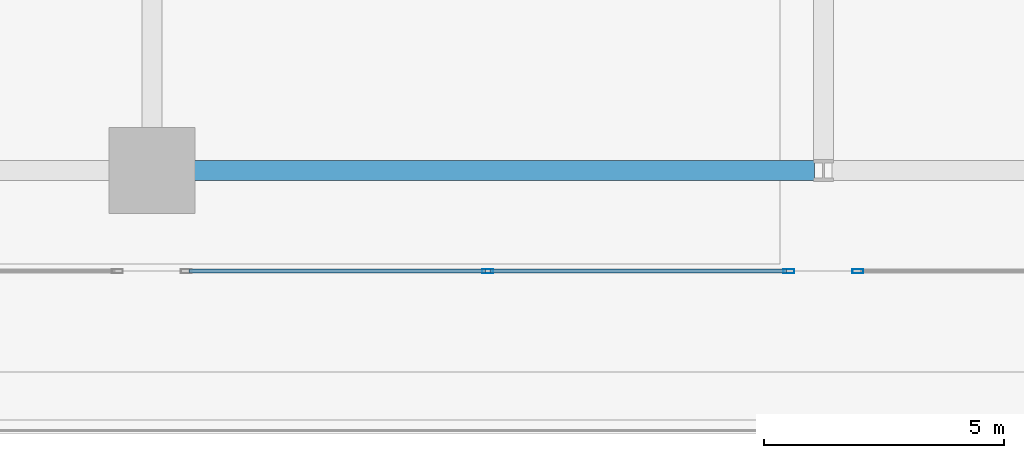
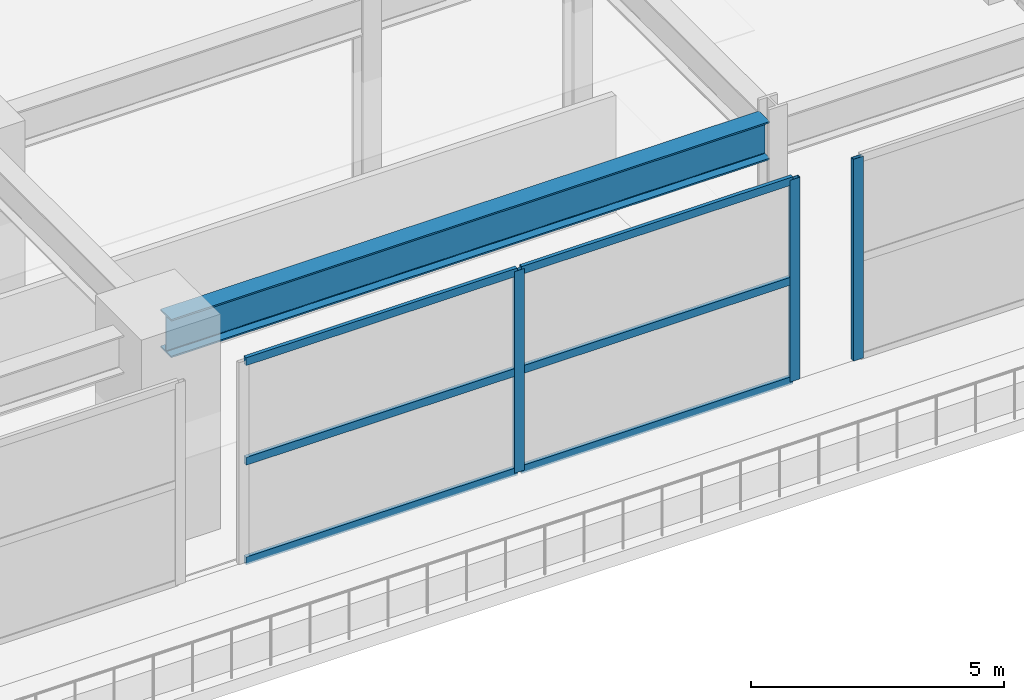
# One storey, part 20 of 35: 9 members, 1 beam, 2 elements without a shape of their own.
"""IFC4 building model written with IfcOpenShell, lengths in metres."""

import ifcopenshell
import ifcopenshell.guid

model = None  # the IFC model being written
_history = None  # IfcOwnerHistory: only IFC2X3 demands one
_inside = {}  # id of a spatial element -> (the spatial element, [elements in it])
_under = {}  # id of a project, library or spatial element -> (it, [spatial elements below it])
_declared = {}  # id of a project -> (the project, [libraries it declares])
_typed = {}  # id of a type object -> (the type object, [elements of that type])
_made_of = {}  # id of a material, layer set ... -> (it, [elements and type objects made of it])


def new_model(schema):
    """Start an empty IFC model of exactly this schema.

    Asked for "IFC4X3", IfcOpenShell would pick the latest addendum, in which some entities
    have other attributes; the version numbers below select the first issue.
    IFC2X3 requires an IfcOwnerHistory on every rooted entity: one is made here for all.
    """
    global model, _history
    if schema == "IFC4X3":
        model = ifcopenshell.file(schema_version=(4, 3, 0, 0))
    else:
        model = ifcopenshell.file(schema=schema)
    _inside.clear()
    _under.clear()
    _declared.clear()
    _typed.clear()
    _made_of.clear()
    _history = None
    if model.schema == "IFC2X3":
        org = make("IfcOrganization", Name="unknown")
        user = make(
            "IfcPersonAndOrganization",
            ThePerson=make("IfcPerson", FamilyName="unknown"),
            TheOrganization=org,
        )
        app = make(
            "IfcApplication",
            ApplicationDeveloper=org,
            Version="unknown",
            ApplicationFullName="unknown",
            ApplicationIdentifier="unknown",
        )
        _history = make(
            "IfcOwnerHistory",
            OwningUser=user,
            OwningApplication=app,
            ChangeAction="ADDED",
            CreationDate=0,
        )
    return model


def make(cls, **values):
    """One entity of the class cls with the attributes given. An attribute that is None is left unset."""
    return model.create_entity(
        cls, **{name: value for name, value in values.items() if value is not None}
    )


def rooted(cls, **values):
    """An entity with a GlobalId (a new one), such as an element, a storey or a relation."""
    return make(cls, GlobalId=ifcopenshell.guid.new(), OwnerHistory=_history, **values)


def si_unit(unit_type, name, prefix=None):
    """IfcSIUnit, for example si_unit("LENGTHUNIT", "METRE", prefix="MILLI")."""
    return make("IfcSIUnit", UnitType=unit_type, Prefix=prefix, Name=name)


def assignment(units):
    """IfcUnitAssignment: the units of a project."""
    return None if units is None else make("IfcUnitAssignment", Units=units)


def point(xyz):
    """IfcCartesianPoint."""
    return None if xyz is None else make("IfcCartesianPoint", Coordinates=xyz)


def direction(xyz):
    """IfcDirection."""
    return None if xyz is None else make("IfcDirection", DirectionRatios=xyz)


def frame(location, z_axis=None, x_axis=None):
    """IfcAxis2Placement3D, a coordinate frame: its origin and axes. An axis left out is left unset."""
    return make(
        "IfcAxis2Placement3D",
        Location=point(location),
        Axis=direction(z_axis),
        RefDirection=direction(x_axis),
    )


def frame_2d(location, x_axis=None):
    """IfcAxis2Placement2D, a coordinate frame in the plane: its origin and x axis."""
    return make(
        "IfcAxis2Placement2D", Location=point(location), RefDirection=direction(x_axis)
    )


def origin():
    """The frame at (0, 0, 0) with its axes left unset."""
    return frame((0.0, 0.0, 0.0))


def origin_2d():
    """The frame at (0, 0) in the plane with its x axis left unset."""
    return frame_2d((0.0, 0.0))


def place(relative_to, where):
    """IfcLocalPlacement: puts the frame where relative to a parent placement (None: the world)."""
    return make(
        "IfcLocalPlacement", PlacementRelTo=relative_to, RelativePlacement=where
    )


def context(
    kind, dimensions, precision=None, world=None, true_north=None, identifier=None
):
    """IfcGeometricRepresentationContext, for example the 3D "Model" context."""
    return make(
        "IfcGeometricRepresentationContext",
        ContextIdentifier=identifier,
        ContextType=kind,
        CoordinateSpaceDimension=dimensions,
        Precision=precision,
        WorldCoordinateSystem=world,
        TrueNorth=true_north,
    )


def subcontext(parent, identifier, kind, view, scale=None):
    """IfcGeometricRepresentationSubContext, for example "Body" below "Model"."""
    return make(
        "IfcGeometricRepresentationSubContext",
        ContextIdentifier=identifier,
        ContextType=kind,
        ParentContext=parent,
        TargetScale=scale,
        TargetView=view,
    )


def project(units=None, contexts=None):
    """IfcProject with its units and contexts."""
    return rooted(
        "IfcProject",
        Name="project",
        RepresentationContexts=contexts,
        UnitsInContext=assignment(units),
    )


def spatial(cls, under=None, at=None, **own):
    """A site, building, storey or space (cls), placed at a placement, below another one or the project."""
    s = rooted(cls, ObjectPlacement=at, **own)
    if under is not None:
        _under.setdefault(under.id(), (under, []))[1].append(s)
    return s


def profile(cls, at=None, kind="AREA", **sizes):
    """A parametric profile (cls). Its sizes go by their IFC names, for example OverallWidth=200.0."""
    return make(cls, ProfileType=kind, Position=at, **sizes)


def hollow_rectangle(**sizes):
    """IfcRectangleHollowProfileDef."""
    return profile("IfcRectangleHollowProfileDef", **sizes)


def i_section(**sizes):
    """IfcIShapeProfileDef."""
    return profile("IfcIShapeProfileDef", **sizes)


def extrude(swept, where, along, depth):
    """IfcExtrudedAreaSolid: the profile swept, set in the frame where, extruded along a direction by depth."""
    return make(
        "IfcExtrudedAreaSolid",
        SweptArea=swept,
        Position=where,
        ExtrudedDirection=direction(along),
        Depth=depth,
    )


def shape(context_of_items, identifier, shape_type, items):
    """IfcShapeRepresentation: the items that make up one representation, for example the "Body"."""
    return make(
        "IfcShapeRepresentation",
        ContextOfItems=context_of_items,
        RepresentationIdentifier=identifier,
        RepresentationType=shape_type,
        Items=items,
    )


def material(Name=None, Category=None):
    """IfcMaterial."""
    return make("IfcMaterial", Name=Name, Category=Category)


def material_profile(
    of_material, cross_section, Name=None, Category=None, Priority=None
):
    """IfcMaterialProfile: a cross section and its material."""
    return make(
        "IfcMaterialProfile",
        Name=Name,
        Material=of_material,
        Profile=cross_section,
        Priority=Priority,
        Category=Category,
    )


def profile_set(profiles, Name=None, composite=None):
    """IfcMaterialProfileSet."""
    return make(
        "IfcMaterialProfileSet",
        Name=Name,
        MaterialProfiles=profiles,
        CompositeProfile=composite,
    )


def made_of(thing, what):
    """Note that an element or type object is made of a material, layer set ...; save() writes the relation."""
    if what is not None:
        _made_of.setdefault(what.id(), (what, []))[1].append(thing)
    return thing


def type_object(cls, material=None, **own):
    """A type object (cls), such as IfcWallType, which elements share."""
    return made_of(rooted(cls, **own), material)


def element(
    cls,
    number,
    at=None,
    inside=None,
    cuts=None,
    type_object=None,
    material=None,
    context=None,
    identifier="Body",
    shape_type=None,
    held_by="IfcProductDefinitionShape",
    body=None,
    shapes=None,
    **own,
):
    """One element of the class cls, such as IfcWall. Its Tag is "e" and its number.

    at: its placement. inside: the storey or other place that contains it. cuts: it is an
    opening in that element (IfcRelVoidsElement). A single representation is given by context,
    identifier, shape_type and body (its items); several are given by shapes. held_by: the class
    of the entity that holds the representations. save() writes the other relations.
    """
    e = rooted(cls, Tag="e%d" % number, ObjectPlacement=at, **own)
    if body is not None:
        shapes = [shape(context, identifier, shape_type, body)]
    if shapes is not None:
        e.Representation = make(held_by, Representations=shapes)
    if inside is not None:
        _inside.setdefault(inside.id(), (inside, []))[1].append(e)
    if cuts is not None:
        rooted(
            "IfcRelVoidsElement", RelatingBuildingElement=cuts, RelatedOpeningElement=e
        )
    if type_object is not None:
        _typed.setdefault(type_object.id(), (type_object, []))[1].append(e)
    return made_of(e, material)


def aggregate(whole, parts):
    """IfcRelAggregates: a whole, such as a stair, and the parts it consists of."""
    return rooted("IfcRelAggregates", RelatingObject=whole, RelatedObjects=parts)


def save(model, path):
    """Write the relations noted so far, then the file.

    IfcRelAggregates (storeys below a building ...), IfcRelContainedInSpatialStructure (elements
    in a storey), IfcRelDefinesByType, IfcRelAssociatesMaterial and IfcRelDeclares: one each for
    every whole, place, type object, material and project.
    """
    for whole, parts in _under.values():
        aggregate(whole, parts)
    for where, things in _inside.values():
        rooted(
            "IfcRelContainedInSpatialStructure",
            RelatedElements=things,
            RelatingStructure=where,
        )
    for kind, things in _typed.values():
        rooted("IfcRelDefinesByType", RelatedObjects=things, RelatingType=kind)
    for what, things in _made_of.values():
        rooted("IfcRelAssociatesMaterial", RelatedObjects=things, RelatingMaterial=what)
    for by, libraries in _declared.values():
        rooted("IfcRelDeclares", RelatingContext=by, RelatedDefinitions=libraries)
    model.write(path)


model = new_model("IFC4")

# Units and contexts
model_context = context("Model", 3, precision=1e-05, world=origin(), true_north=direction((0.0, 1.0)))
body_context = subcontext(model_context, "Body", "Model", "MODEL_VIEW")
ifc_project = project(units=[si_unit("LENGTHUNIT", "METRE"), si_unit("AREAUNIT", "SQUARE_METRE"), si_unit("VOLUMEUNIT", "CUBIC_METRE"), si_unit("PLANEANGLEUNIT", "RADIAN"), si_unit("MASSUNIT", "GRAM", prefix="KILO")], contexts=[model_context])

# Site, building, storey
site_placement = place(None, origin())
site = spatial("IfcSite", under=ifc_project, at=site_placement, CompositionType="ELEMENT")
building_placement = place(site_placement, origin())
building = spatial("IfcBuilding", under=site, at=building_placement, Name="Kovane Verandah Tower", CompositionType="ELEMENT")
storey_placement = place(building_placement, frame((0.0, 0.0, 16.39990234375)))
storey = spatial("IfcBuildingStorey", under=building, at=storey_placement, Name="L03", CompositionType="ELEMENT", Elevation=16.39990234375)

# Beam
ifc_material_1 = material(Name="Steel S460", Category="steel")
ifc_material_profile_1 = material_profile(ifc_material_1, i_section(OverallWidth=0.42041015625, OverallDepth=0.9208984375, WebThickness=0.021484375, FlangeThickness=0.03662109375, FilletRadius=0.024169921875, at=origin_2d()), Name="UB914x419x388")
ifc_profile_set_1 = profile_set([ifc_material_profile_1], Name="Steel S460")
beam_type = type_object("IfcBeamType", Name="BM-UB914x388", PredefinedType="BEAM", material=ifc_profile_set_1)
beam_placement = place(storey_placement, frame((58.580078125, 10.800048828125, 4.439697265625), z_axis=(1.0, 0.0, 0.0), x_axis=(0.0, 1.0, 0.0)))
element("IfcBeam", 1, at=beam_placement, inside=storey, type_object=beam_type, Name="L03 Podium Garden Transfer Girder X03", PredefinedType="BEAM", context=body_context, shape_type="SweptSolid", body=[
    extrude(i_section(OverallWidth=0.42041015625, OverallDepth=0.9208984375, WebThickness=0.021484375, FlangeThickness=0.03662109375, FilletRadius=0.024169921875, at=origin_2d()), origin(), (0.0, 0.0, 1.0), 13.639892578125),
])

# Curtain wall, members
ifc_material_2 = material(Name="Champagne Anodised Aluminium Frame with Low-E Clear Laminated Glass", Category="aluminium")
curtain_wall_type = type_object("IfcCurtainWallType", Name="CW-SYS-01-POD", PredefinedType="NOTDEFINED", material=ifc_material_2)
curtain_wall_1_placement = place(storey_placement, origin())
curtain_wall_1 = element("IfcCurtainWall", 2, at=curtain_wall_1_placement, inside=storey, type_object=curtain_wall_type, Name="L03 South Podium Curtain Wall Bay 6.1", PredefinedType="NOTDEFINED")
ifc_material_3 = material(Name="Champagne Anodised Aluminium 6063-T6", Category="aluminium")
ifc_material_profile_2 = material_profile(ifc_material_3, hollow_rectangle(XDim=0.0849609375, YDim=0.22998046875, WallThickness=0.00390625, at=origin_2d()), Name="AL85x230x4")
ifc_profile_set_2 = profile_set([ifc_material_profile_2], Name="Champagne Anodised Aluminium 6063-T6")
member_type_1 = type_object("IfcMemberType", Name="CW-MUL-85x230", PredefinedType="MULLION", material=ifc_profile_set_2)
member_1_placement = place(storey_placement, frame((65.39990234375, 8.699951171875, 0.02001953125), z_axis=(0.0, 0.0, 1.0), x_axis=(0.0, -1.0, 0.0)))
member_1 = element("IfcMember", 3, at=member_1_placement, type_object=member_type_1, Name="L03 South Podium Curtain Wall Bay 6.1 Mullion 2", PredefinedType="MULLION", context=body_context, shape_type="SweptSolid", body=[
    extrude(hollow_rectangle(XDim=0.0849609375, YDim=0.22998046875, WallThickness=0.00390625, at=origin_2d()), origin(), (0.0, 0.0, 1.0), 4.860107421875),
])
member_2_placement = place(storey_placement, frame((71.679931640625, 8.699951171875, 0.02001953125), z_axis=(0.0, 0.0, 1.0), x_axis=(0.0, -1.0, 0.0)))
member_2 = element("IfcMember", 4, at=member_2_placement, type_object=member_type_1, Name="L03 South Podium Curtain Wall Bay 6.1 Mullion 3", PredefinedType="MULLION", context=body_context, shape_type="SweptSolid", body=[
    extrude(hollow_rectangle(XDim=0.0849609375, YDim=0.22998046875, WallThickness=0.00390625, at=origin_2d()), origin(), (0.0, 0.0, 1.0), 4.860107421875),
])

# Curtain wall, member
curtain_wall_2_placement = place(storey_placement, origin())
curtain_wall_2 = element("IfcCurtainWall", 5, at=curtain_wall_2_placement, inside=storey, type_object=curtain_wall_type, Name="L03 South Podium Curtain Wall Bay 7.1", PredefinedType="NOTDEFINED")
member_3_placement = place(storey_placement, frame((73.1201171875, 8.699951171875, 0.02001953125), z_axis=(0.0, 0.0, 1.0), x_axis=(0.0, -1.0, 0.0)))
member_3 = element("IfcMember", 6, at=member_3_placement, type_object=member_type_1, Name="L03 South Podium Curtain Wall Bay 7.1 Mullion 1", PredefinedType="MULLION", context=body_context, shape_type="SweptSolid", body=[
    extrude(hollow_rectangle(XDim=0.0849609375, YDim=0.22998046875, WallThickness=0.00390625, at=origin_2d()), origin(), (0.0, 0.0, 1.0), 4.860107421875),
])
aggregate(curtain_wall_2, [member_3])

# Member
ifc_material_profile_3 = material_profile(ifc_material_3, hollow_rectangle(XDim=0.0849609375, YDim=0.18994140625, WallThickness=0.00390625, at=origin_2d()), Name="AL85x190x4")
ifc_profile_set_3 = profile_set([ifc_material_profile_3], Name="Champagne Anodised Aluminium 6063-T6")
member_type_2 = type_object("IfcMemberType", Name="CW-TRN-85x190", PredefinedType="USERDEFINED", material=ifc_profile_set_3)
member_4_placement = place(storey_placement, frame((59.169921875, 8.699951171875, 0.050048828125), z_axis=(1.0, 0.0, 0.0), x_axis=(0.0, 1.0, 0.0)))
member_4 = element("IfcMember", 7, at=member_4_placement, type_object=member_type_2, Name="L03 South Podium Curtain Wall Bay 6.1 Transom TB Bay 1", ObjectType="TRANSOM", PredefinedType="USERDEFINED", context=body_context, shape_type="SweptSolid", body=[
    extrude(hollow_rectangle(XDim=0.0849609375, YDim=0.18994140625, WallThickness=0.00390625, at=origin_2d()), origin(), (0.0, 0.0, 1.0), 6.18017578125),
])

member_5_placement = place(storey_placement, frame((59.169921875, 8.699951171875, 2.4501953125), z_axis=(1.0, 0.0, 0.0), x_axis=(0.0, 1.0, 0.0)))
member_5 = element("IfcMember", 8, at=member_5_placement, type_object=member_type_2, Name="L03 South Podium Curtain Wall Bay 6.1 Transom TM Bay 1", ObjectType="TRANSOM", PredefinedType="USERDEFINED", context=body_context, shape_type="SweptSolid", body=[
    extrude(hollow_rectangle(XDim=0.0849609375, YDim=0.18994140625, WallThickness=0.00390625, at=origin_2d()), origin(), (0.0, 0.0, 1.0), 6.18017578125),
])

member_6_placement = place(storey_placement, frame((59.169921875, 8.699951171875, 4.85009765625), z_axis=(1.0, 0.0, 0.0), x_axis=(0.0, 1.0, 0.0)))
member_6 = element("IfcMember", 9, at=member_6_placement, type_object=member_type_2, Name="L03 South Podium Curtain Wall Bay 6.1 Transom TT Bay 1", ObjectType="TRANSOM", PredefinedType="USERDEFINED", context=body_context, shape_type="SweptSolid", body=[
    extrude(hollow_rectangle(XDim=0.0849609375, YDim=0.18994140625, WallThickness=0.00390625, at=origin_2d()), origin(), (0.0, 0.0, 1.0), 6.18017578125),
])

member_7_placement = place(storey_placement, frame((65.449951171875, 8.699951171875, 0.050048828125), z_axis=(1.0, 0.0, 0.0), x_axis=(0.0, 1.0, 0.0)))
member_7 = element("IfcMember", 10, at=member_7_placement, type_object=member_type_2, Name="L03 South Podium Curtain Wall Bay 6.1 Transom TB Bay 2", ObjectType="TRANSOM", PredefinedType="USERDEFINED", context=body_context, shape_type="SweptSolid", body=[
    extrude(hollow_rectangle(XDim=0.0849609375, YDim=0.18994140625, WallThickness=0.00390625, at=origin_2d()), origin(), (0.0, 0.0, 1.0), 6.179931640625),
])

member_8_placement = place(storey_placement, frame((65.449951171875, 8.699951171875, 2.4501953125), z_axis=(1.0, 0.0, 0.0), x_axis=(0.0, 1.0, 0.0)))
member_8 = element("IfcMember", 11, at=member_8_placement, type_object=member_type_2, Name="L03 South Podium Curtain Wall Bay 6.1 Transom TM Bay 2", ObjectType="TRANSOM", PredefinedType="USERDEFINED", context=body_context, shape_type="SweptSolid", body=[
    extrude(hollow_rectangle(XDim=0.0849609375, YDim=0.18994140625, WallThickness=0.00390625, at=origin_2d()), origin(), (0.0, 0.0, 1.0), 6.179931640625),
])

member_9_placement = place(storey_placement, frame((65.449951171875, 8.699951171875, 4.85009765625), z_axis=(1.0, 0.0, 0.0), x_axis=(0.0, 1.0, 0.0)))
member_9 = element("IfcMember", 12, at=member_9_placement, type_object=member_type_2, Name="L03 South Podium Curtain Wall Bay 6.1 Transom TT Bay 2", ObjectType="TRANSOM", PredefinedType="USERDEFINED", context=body_context, shape_type="SweptSolid", body=[
    extrude(hollow_rectangle(XDim=0.0849609375, YDim=0.18994140625, WallThickness=0.00390625, at=origin_2d()), origin(), (0.0, 0.0, 1.0), 6.179931640625),
])

aggregate(curtain_wall_1, [member_1, member_2, member_4, member_5, member_6, member_7, member_8, member_9])

save(model, "model.ifc")
